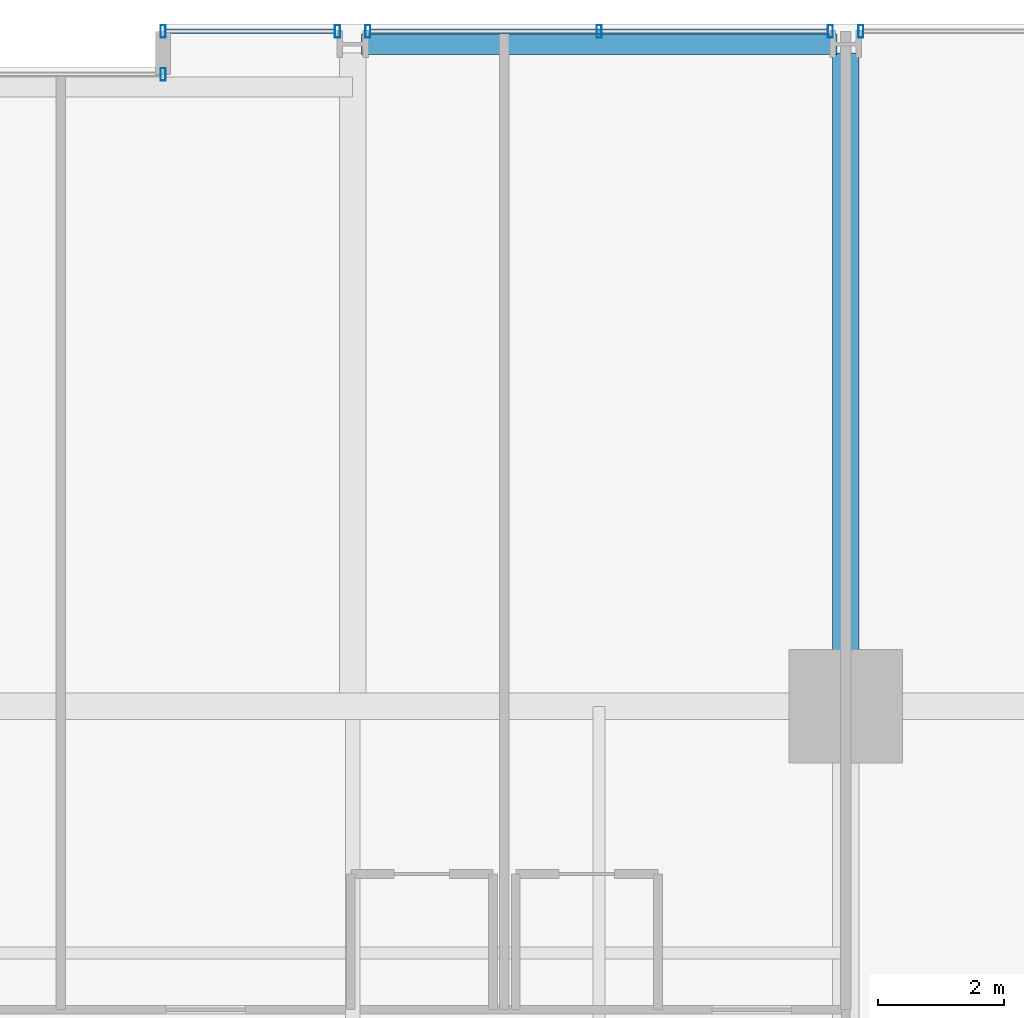
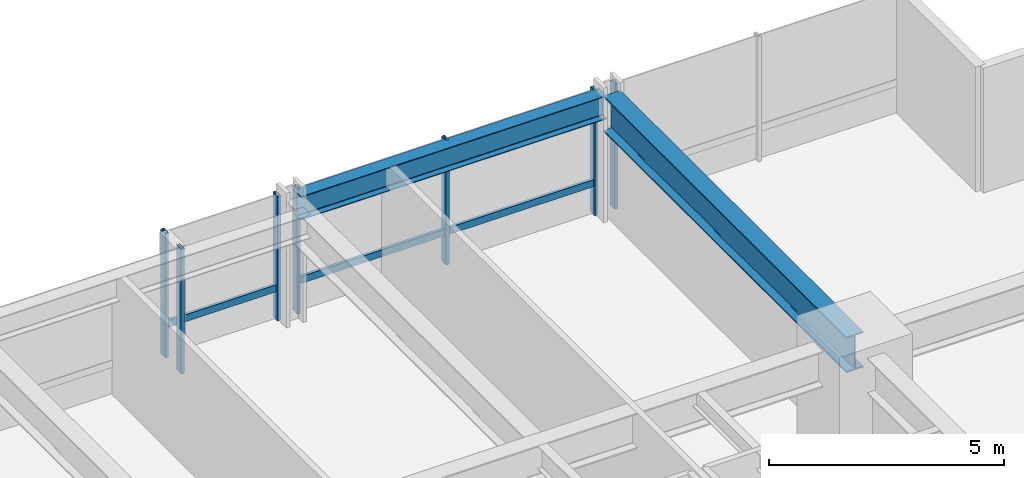
# One storey, part 27 of 39: 9 members, 2 beams, 4 elements without a shape of their own.
"""IFC4 building model written with IfcOpenShell, lengths in metres."""

from ifc_helpers import new_model, si_unit, direction, frame, origin, origin_2d, place, context, subcontext, project, spatial, hollow_rectangle, i_section, extrude, material, layer, layer_set, material_profile, profile_set, type_object, element, aggregate, save


model = new_model("IFC4")

# Units and contexts
model_context = context("Model", 3, precision=1e-05, world=origin(), true_north=direction((0.0, 1.0)))
body_context = subcontext(model_context, "Body", "Model", "MODEL_VIEW")
ifc_project = project(units=[si_unit("LENGTHUNIT", "METRE"), si_unit("AREAUNIT", "SQUARE_METRE"), si_unit("VOLUMEUNIT", "CUBIC_METRE"), si_unit("PLANEANGLEUNIT", "RADIAN"), si_unit("MASSUNIT", "GRAM", prefix="KILO")], contexts=[model_context])

# Site, building, storey
site_placement = place(None, origin())
site = spatial("IfcSite", under=ifc_project, at=site_placement, CompositionType="ELEMENT")
building_placement = place(site_placement, origin())
building = spatial("IfcBuilding", under=site, at=building_placement, Name="Drelvath Grand Hotel", CompositionType="ELEMENT")
storey_placement = place(building_placement, frame((0.0, 0.0, 54.199951171875)))
storey = spatial("IfcBuildingStorey", under=building, at=storey_placement, Name="L12", CompositionType="ELEMENT", Elevation=54.199951171875)

# Curtain wall, member
ifc_material_1 = material(Name="Warm Bronze Anodised Aluminium Frame", Category="aluminium")
ifc_layer = layer(ifc_material_1, 0.199951171875)
ifc_layer_set = layer_set([ifc_layer], Name="Warm Bronze Anodised Aluminium Frame")
curtain_wall_type = type_object("IfcCurtainWallType", Name="Stick Curtain Wall CW-02 Warm Bronze Low-Rise", PredefinedType="NOTDEFINED", material=ifc_layer_set)
curtain_wall_1_placement = place(storey_placement, origin())
curtain_wall_1 = element("IfcCurtainWall", 1, at=curtain_wall_1_placement, inside=storey, type_object=curtain_wall_type, Name="L12 CW-02 Curtain Wall CW02-L12-NE1", PredefinedType="NOTDEFINED")
ifc_material_profile_1 = material_profile(ifc_material_1, hollow_rectangle(XDim=0.074951171875, YDim=0.179931640625, WallThickness=0.0048828125, at=origin_2d()), Name="HSS180X75X5")
ifc_profile_set_1 = profile_set([ifc_material_profile_1], Name="Warm Bronze Anodised Aluminium Frame")
member_type_1 = type_object("IfcMemberType", Name="Curtain Wall Horizontal Transom CW-02 HSS180X75X5", PredefinedType="USERDEFINED", material=ifc_profile_set_1)
member_1_placement = place(storey_placement, frame((5.43994140625, 53.8798828125, 0.81005859375), z_axis=(1.0, 0.0, 0.0), x_axis=(0.0, 1.0, 0.0)))
member_1 = element("IfcMember", 2, at=member_1_placement, type_object=member_type_1, Name="CW02-L12-NE1 Sill Transom", ObjectType="TRANSOM", PredefinedType="USERDEFINED", context=body_context, shape_type="SweptSolid", body=[
    extrude(hollow_rectangle(XDim=0.074951171875, YDim=0.179931640625, WallThickness=0.0048828125, at=origin_2d()), origin(), (0.0, 0.0, 1.0), 2.67919921875),
])

curtain_wall_2_placement = place(storey_placement, origin())
curtain_wall_2 = element("IfcCurtainWall", 3, at=curtain_wall_2_placement, inside=storey, type_object=curtain_wall_type, Name="L12 CW-02 Curtain Wall CW02-L12-NE2", PredefinedType="NOTDEFINED")
member_2_placement = place(storey_placement, frame((8.680908203125, 53.8798828125, 0.81005859375), z_axis=(1.0, 0.0, 0.0), x_axis=(0.0, 1.0, 0.0)))
member_2 = element("IfcMember", 4, at=member_2_placement, type_object=member_type_1, Name="CW02-L12-NE2 Sill Transom", ObjectType="TRANSOM", PredefinedType="USERDEFINED", context=body_context, shape_type="SweptSolid", body=[
    extrude(hollow_rectangle(XDim=0.074951171875, YDim=0.179931640625, WallThickness=0.0048828125, at=origin_2d()), origin(), (0.0, 0.0, 1.0), 7.23828125),
])

curtain_wall_3_placement = place(storey_placement, origin())
curtain_wall_3 = element("IfcCurtainWall", 5, at=curtain_wall_3_placement, inside=storey, type_object=curtain_wall_type, Name="L12 CW-02 Curtain Wall CW02-L12-NM2", PredefinedType="NOTDEFINED")
ifc_material_profile_2 = material_profile(ifc_material_1, hollow_rectangle(XDim=0.080078125, YDim=0.199951171875, WallThickness=0.0048828125, at=origin_2d()), Name="HSS200X80X5")
ifc_profile_set_2 = profile_set([ifc_material_profile_2], Name="Warm Bronze Anodised Aluminium Frame")
member_type_2 = type_object("IfcMemberType", Name="Curtain Wall Vertical Mullion CW-02 HSS200X80X5", PredefinedType="MULLION", material=ifc_profile_set_2)
member_3_placement = place(storey_placement, frame((5.39990234375, 53.199951171875, 0.0), z_axis=(0.0, 0.0, 1.0), x_axis=(1.0, 0.0, 0.0)))
member_3 = element("IfcMember", 6, at=member_3_placement, type_object=member_type_2, Name="CW02-L12-NM2 Mullion 2", PredefinedType="MULLION", context=body_context, shape_type="SweptSolid", body=[
    extrude(hollow_rectangle(XDim=0.080078125, YDim=0.199951171875, WallThickness=0.0048828125, at=origin_2d()), origin(), (0.0, 0.0, 1.0), 3.239990234375),
])
aggregate(curtain_wall_3, [member_3])

# Member
member_4_placement = place(storey_placement, frame((5.39990234375, 53.8798828125, 0.0), z_axis=(0.0, 0.0, 1.0), x_axis=(1.0, 0.0, 0.0)))
member_4 = element("IfcMember", 7, at=member_4_placement, type_object=member_type_2, Name="CW02-L12-NE1 Mullion 1", PredefinedType="MULLION", context=body_context, shape_type="SweptSolid", body=[
    extrude(hollow_rectangle(XDim=0.080078125, YDim=0.199951171875, WallThickness=0.0048828125, at=origin_2d()), origin(), (0.0, 0.0, 1.0), 3.239990234375),
])

member_5_placement = place(storey_placement, frame((8.1591796875, 53.8798828125, 0.0), z_axis=(0.0, 0.0, 1.0), x_axis=(1.0, 0.0, 0.0)))
member_5 = element("IfcMember", 8, at=member_5_placement, type_object=member_type_2, Name="CW02-L12-NE1 Mullion 2", PredefinedType="MULLION", context=body_context, shape_type="SweptSolid", body=[
    extrude(hollow_rectangle(XDim=0.080078125, YDim=0.199951171875, WallThickness=0.0048828125, at=origin_2d()), origin(), (0.0, 0.0, 1.0), 3.239990234375),
])

aggregate(curtain_wall_1, [member_4, member_5, member_1])

member_6_placement = place(storey_placement, frame((8.640869140625, 53.8798828125, 0.0), z_axis=(0.0, 0.0, 1.0), x_axis=(1.0, 0.0, 0.0)))
member_6 = element("IfcMember", 9, at=member_6_placement, type_object=member_type_2, Name="CW02-L12-NE2 Mullion 1", PredefinedType="MULLION", context=body_context, shape_type="SweptSolid", body=[
    extrude(hollow_rectangle(XDim=0.080078125, YDim=0.199951171875, WallThickness=0.0048828125, at=origin_2d()), origin(), (0.0, 0.0, 1.0), 3.239990234375),
])

member_7_placement = place(storey_placement, frame((12.300048828125, 53.8798828125, 0.0), z_axis=(0.0, 0.0, 1.0), x_axis=(1.0, 0.0, 0.0)))
member_7 = element("IfcMember", 10, at=member_7_placement, type_object=member_type_2, Name="CW02-L12-NE2 Mullion 2", PredefinedType="MULLION", context=body_context, shape_type="SweptSolid", body=[
    extrude(hollow_rectangle(XDim=0.080078125, YDim=0.199951171875, WallThickness=0.0048828125, at=origin_2d()), origin(), (0.0, 0.0, 1.0), 3.239990234375),
])

member_8_placement = place(storey_placement, frame((15.958984375, 53.8798828125, 0.0), z_axis=(0.0, 0.0, 1.0), x_axis=(1.0, 0.0, 0.0)))
member_8 = element("IfcMember", 11, at=member_8_placement, type_object=member_type_2, Name="CW02-L12-NE2 Mullion 3", PredefinedType="MULLION", context=body_context, shape_type="SweptSolid", body=[
    extrude(hollow_rectangle(XDim=0.080078125, YDim=0.199951171875, WallThickness=0.0048828125, at=origin_2d()), origin(), (0.0, 0.0, 1.0), 3.239990234375),
])

aggregate(curtain_wall_2, [member_6, member_7, member_8, member_2])

# Curtain wall, member
curtain_wall_4_placement = place(storey_placement, origin())
curtain_wall_4 = element("IfcCurtainWall", 12, at=curtain_wall_4_placement, inside=storey, type_object=curtain_wall_type, Name="L12 CW-02 Curtain Wall CW02-L12-NE3", PredefinedType="NOTDEFINED")
member_9_placement = place(storey_placement, frame((16.44091796875, 53.8798828125, 0.0), z_axis=(0.0, 0.0, 1.0), x_axis=(1.0, 0.0, 0.0)))
member_9 = element("IfcMember", 13, at=member_9_placement, type_object=member_type_2, Name="CW02-L12-NE3 Mullion 1", PredefinedType="MULLION", context=body_context, shape_type="SweptSolid", body=[
    extrude(hollow_rectangle(XDim=0.080078125, YDim=0.199951171875, WallThickness=0.0048828125, at=origin_2d()), origin(), (0.0, 0.0, 1.0), 3.239990234375),
])
aggregate(curtain_wall_4, [member_9])

# Beams
ifc_material_2 = material(Name="Steel ASTM A992 Gr 50", Category="steel")
ifc_material_profile_3 = material_profile(ifc_material_2, i_section(OverallWidth=0.323974609375, OverallDepth=0.611083984375, WebThickness=0.0126953125, FlangeThickness=0.01904296875, FilletRadius=0.02197265625, at=origin_2d()), Name="W24X104")
ifc_profile_set_3 = profile_set([ifc_material_profile_3], Name="Steel ASTM A992 Gr 50")
beam_type_1 = type_object("IfcBeamType", Name="Perimeter Spandrel Beam W24X104", PredefinedType="SPANDREL", material=ifc_profile_set_3)
beam_1_placement = place(storey_placement, frame((8.5400390625, 53.679931640625, 2.9345703125), z_axis=(1.0, 0.0, 0.0), x_axis=(0.0, 1.0, 0.0)))
element("IfcBeam", 14, at=beam_1_placement, inside=storey, type_object=beam_type_1, Name="L12 Spandrel North E", PredefinedType="SPANDREL", context=body_context, shape_type="SweptSolid", body=[
    extrude(i_section(OverallWidth=0.323974609375, OverallDepth=0.611083984375, WebThickness=0.0126953125, FlangeThickness=0.01904296875, FilletRadius=0.02197265625, at=origin_2d()), origin(), (0.0, 0.0, 1.0), 7.52001953125),
])
ifc_material_profile_4 = material_profile(ifc_material_2, i_section(OverallWidth=0.418212890625, OverallDepth=0.926513671875, WebThickness=0.019287109375, FlangeThickness=0.031982421875, FilletRadius=0.028076171875, at=origin_2d()), Name="W36X231")
ifc_profile_set_4 = profile_set([ifc_material_profile_4], Name="Steel ASTM A992 Gr 50")
beam_type_2 = type_object("IfcBeamType", Name="Primary Floor Girder W36X231", PredefinedType="BEAM", material=ifc_profile_set_4)
beam_2_placement = place(storey_placement, frame((16.199951171875, 43.199951171875, 2.77685546875), z_axis=(0.0, 1.0, 0.0), x_axis=(-1.0, 0.0, 0.0)))
element("IfcBeam", 15, at=beam_2_placement, inside=storey, type_object=beam_type_2, Name="L12 North Grid Girder 7", PredefinedType="BEAM", context=body_context, shape_type="SweptSolid", body=[
    extrude(i_section(OverallWidth=0.418212890625, OverallDepth=0.926513671875, WebThickness=0.019287109375, FlangeThickness=0.031982421875, FilletRadius=0.028076171875, at=origin_2d()), origin(), (0.0, 0.0, 1.0), 10.340087890625),
])

save(model, "model.ifc")
